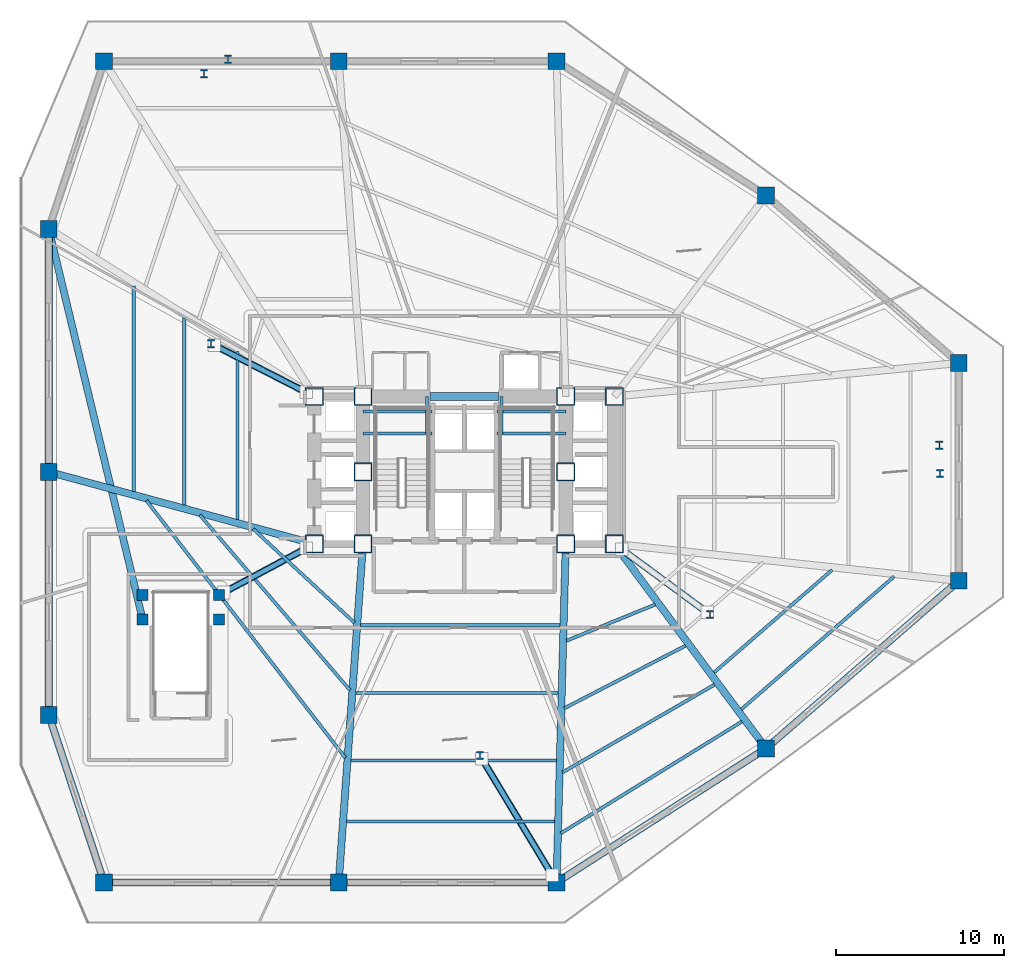
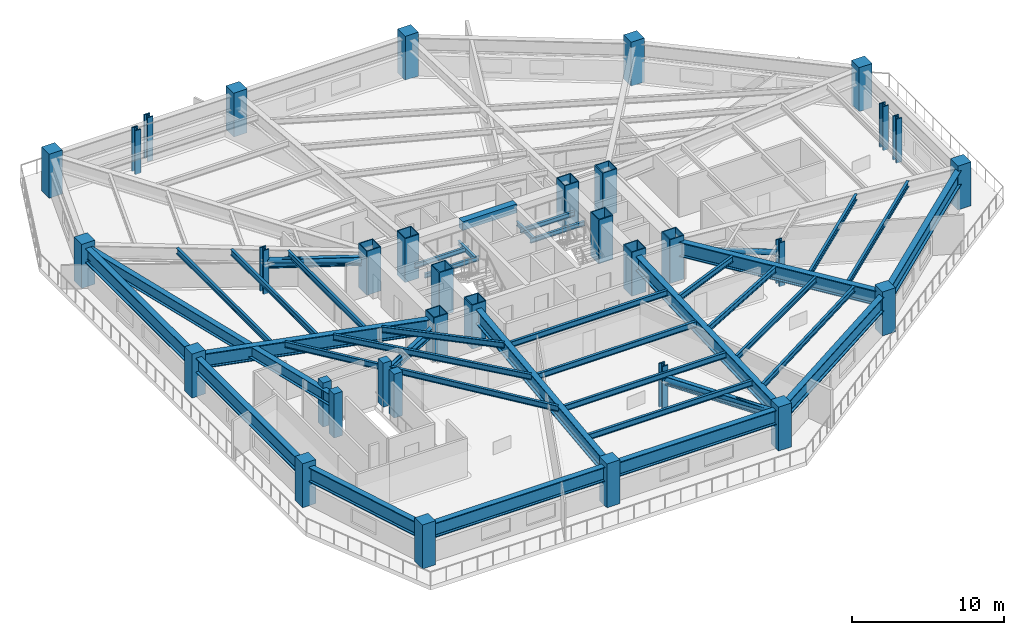
# One storey, part 1 of 10: 35 beams, 34 columns, 7 members.
"""IFC4 building model written with IfcOpenShell, lengths in metres."""

from ifc_helpers import new_model, si_unit, direction, frame, origin, origin_2d, place, context, subcontext, project, spatial, rectangle, hollow_rectangle, hollow_circle, i_section, extrude, material, material_profile, profile_set, type_object, element, save


model = new_model("IFC4")

# Units and contexts
model_context = context("Model", 3, precision=1e-05, world=origin(), true_north=direction((0.0, 1.0)))
body_context = subcontext(model_context, "Body", "Model", "MODEL_VIEW")
ifc_project = project(units=[si_unit("LENGTHUNIT", "METRE"), si_unit("AREAUNIT", "SQUARE_METRE"), si_unit("VOLUMEUNIT", "CUBIC_METRE"), si_unit("PLANEANGLEUNIT", "RADIAN"), si_unit("MASSUNIT", "GRAM", prefix="KILO")], contexts=[model_context])

# Site, building, storey
site_placement = place(None, origin())
site = spatial("IfcSite", under=ifc_project, at=site_placement, CompositionType="ELEMENT")
building_placement = place(site_placement, origin())
building = spatial("IfcBuilding", under=site, at=building_placement, Name="Rocaltana Carrier Exchange", CompositionType="ELEMENT")
storey_placement = place(building_placement, frame((0.0, 0.0, 15.360107421875)))
storey = spatial("IfcBuildingStorey", under=building, at=storey_placement, Name="L05", CompositionType="ELEMENT", Elevation=15.360107421875)

# Columns
ifc_material_1 = material(Name="Steel S460", Category="steel")
ifc_material_profile_1 = material_profile(ifc_material_1, hollow_rectangle(XDim=1.10009765625, YDim=1.10009765625, WallThickness=0.070068359375, InnerFilletRadius=0.02001953125, OuterFilletRadius=0.0400390625, at=origin_2d()), Name="BOX1100X1100X70")
ifc_profile_set_1 = profile_set([ifc_material_profile_1], Name="Steel S460")
column_type_1 = type_object("IfcColumnType", Name="Core Mega-Column BOX1100", PredefinedType="COLUMN", material=ifc_profile_set_1)
for number, where, z_axis, x_axis, name in (
    (1, (-6.050048828125, 4.5, 0.0), (0.0, 0.0, 1.0), (1.0, 0.0, 0.0), "L05 Core Mega-Column MC1"),
    (2, (6.050048828125, 4.5, 0.0), (0.0, 0.0, 1.0), (1.0, 0.0, 0.0), "L05 Core Mega-Column MC2"),
    (3, (-6.050048828125, 0.0, 0.0), (0.0, 0.0, 1.0), (1.0, 0.0, 0.0), "L05 Core Mega-Column MC3"),
    (4, (6.050048828125, 0.0, 0.0), (0.0, 0.0, 1.0), (1.0, 0.0, 0.0), "L05 Core Mega-Column MC4"),
    (5, (-6.050048828125, -4.300048828125, 0.0), (0.0, 0.0, 1.0), (1.0, 0.0, 0.0), "L05 Core Mega-Column MC5"),
    (6, (6.050048828125, -4.300048828125, 0.0), (0.0, 0.0, 1.0), (1.0, 0.0, 0.0), "L05 Core Mega-Column MC6"),
    (7, (-8.949951171875, 4.5, 0.0), (0.0, 0.0, 1.0), (1.0, 0.0, 0.0), "L05 West Core Column WC1"),
    (8, (-8.949951171875, -4.300048828125, 0.0), (0.0, 0.0, 1.0), (1.0, 0.0, 0.0), "L05 West Core Column WC2"),
    (9, (8.949951171875, 4.5, 0.0), (0.0, 0.0, 1.0), (1.0, 0.0, 0.0), "L05 East Core Column EC1"),
    (10, (8.949951171875, -4.300048828125, 0.0), (0.0, 0.0, 1.0), (1.0, 0.0, 0.0), "L05 East Core Column EC2"),
):
    element("IfcColumn", number, at=place(storey_placement, frame(where, z_axis=z_axis, x_axis=x_axis)), inside=storey, type_object=column_type_1, Name=name, PredefinedType="COLUMN", context=body_context, shape_type="SweptSolid", body=[
        extrude(hollow_rectangle(XDim=1.10009765625, YDim=1.10009765625, WallThickness=0.070068359375, InnerFilletRadius=0.02001953125, OuterFilletRadius=0.0400390625, at=origin_2d()), origin(), (0.0, 0.0, 1.0), 3.519775390625),
    ])
ifc_material_2 = material(Name="Steel S460", Category="steel")
ifc_material_profile_2 = material_profile(ifc_material_2, i_section(OverallWidth=0.431884765625, OverallDepth=0.498046875, WebThickness=0.0556640625, FlangeThickness=0.0888671875, FilletRadius=0.02490234375, at=origin_2d()), Name="W14X500")
ifc_profile_set_2 = profile_set([ifc_material_profile_2], Name="Steel S460")
column_type_2 = type_object("IfcColumnType", Name="Perimeter Column W14X500", PredefinedType="COLUMN", material=ifc_profile_set_2)
for number, where, z_axis, x_axis, name in (
    (11, (28.340576171875, 1.5849609375, 0.0), (0.0, 0.0, 1.0), (1.0, 0.0, 0.0), "L05 Podium Tower Mega-Column PT01"),
    (12, (-14.106201171875, 24.631591796875, 0.0), (0.0, 0.0, 1.0), (1.0, 0.0, 0.0), "L05 Podium Tower Mega-Column PT04"),
    (13, (-15.54296875, 23.751220703125, 0.0), (0.0, 0.0, 1.0), (1.0, 0.0, 0.0), "L05 Podium Tower Mega-Column PT05"),
    (14, (-15.121337890625, 7.65673828125, 0.0), (0.0, 0.0, 1.0), (1.0, 0.0, 0.0), "L05 Podium Tower Mega-Column PT06"),
    (15, (0.9296875, -16.923828125, 0.0), (0.0, 0.0, 1.0), (1.0, 0.0, 0.0), "L05 Podium Tower Mega-Column PT10"),
    (16, (14.6572265625, -8.51171875, 0.0), (0.0, 0.0, 1.0), (1.0, 0.0, 0.0), "L05 Podium Tower Mega-Column PT11"),
    (17, (28.384765625, -0.099609375, 0.0), (0.0, 0.0, 1.0), (1.0, 0.0, 0.0), "L05 Podium Tower Mega-Column PT12"),
):
    element("IfcColumn", number, at=place(storey_placement, frame(where, z_axis=z_axis, x_axis=x_axis)), inside=storey, type_object=column_type_2, Name=name, PredefinedType="COLUMN", context=body_context, shape_type="SweptSolid", body=[
        extrude(i_section(OverallWidth=0.431884765625, OverallDepth=0.498046875, WebThickness=0.0556640625, FlangeThickness=0.0888671875, FilletRadius=0.02490234375, at=origin_2d()), origin(), (0.0, 0.0, 1.0), 3.519775390625),
    ])
ifc_material_3 = material(Name="Concrete C60/75", Category="concrete")
ifc_material_profile_3 = material_profile(ifc_material_3, rectangle(XDim=1.0, YDim=1.0, at=origin_2d()), Name="RC-COL-1000X1000")
ifc_profile_set_3 = profile_set([ifc_material_profile_3], Name="Concrete C60/75")
column_type_3 = type_object("IfcColumnType", Name="Podium RC Column 1000", PredefinedType="COLUMN", material=ifc_profile_set_3)
for number, where, z_axis, x_axis, name in (
    (18, (-21.5, -24.5, 0.0), (0.0, 0.0, 1.0), (1.0, 0.0, 0.0), "L05 Podium Mega-Column PC01"),
    (19, (-7.5, -24.5, 0.0), (0.0, 0.0, 1.0), (1.0, 0.0, 0.0), "L05 Podium Mega-Column PC02"),
    (20, (5.5, -24.5, 0.0), (0.0, 0.0, 1.0), (1.0, 0.0, 0.0), "L05 Podium Mega-Column PC03"),
    (21, (18.0, -16.5, 0.0), (0.0, 0.0, 1.0), (1.0, 0.0, 0.0), "L05 Podium Mega-Column PC04"),
    (22, (29.5, -6.5, 0.0), (0.0, 0.0, 1.0), (1.0, 0.0, 0.0), "L05 Podium Mega-Column PC05"),
    (23, (29.5, 6.5, 0.0), (0.0, 0.0, 1.0), (1.0, 0.0, 0.0), "L05 Podium Mega-Column PC06"),
    (24, (18.0, 16.5, 0.0), (0.0, 0.0, 1.0), (1.0, 0.0, 0.0), "L05 Podium Mega-Column PC07"),
    (25, (5.5, 24.5, 0.0), (0.0, 0.0, 1.0), (1.0, 0.0, 0.0), "L05 Podium Mega-Column PC08"),
    (26, (-7.5, 24.5, 0.0), (0.0, 0.0, 1.0), (1.0, 0.0, 0.0), "L05 Podium Mega-Column PC09"),
    (27, (-21.5, 24.5, 0.0), (0.0, 0.0, 1.0), (1.0, 0.0, 0.0), "L05 Podium Mega-Column PC10"),
    (28, (-24.800048828125, 14.5, 0.0), (0.0, 0.0, 1.0), (1.0, 0.0, 0.0), "L05 Podium Mega-Column PC11"),
    (29, (-24.800048828125, 0.0, 0.0), (0.0, 0.0, 1.0), (1.0, 0.0, 0.0), "L05 Podium Mega-Column PC13"),
    (30, (-24.800048828125, -14.5, 0.0), (0.0, 0.0, 1.0), (1.0, 0.0, 0.0), "L05 Podium Mega-Column PC12"),
):
    element("IfcColumn", number, at=place(storey_placement, frame(where, z_axis=z_axis, x_axis=x_axis)), inside=storey, type_object=column_type_3, Name=name, PredefinedType="COLUMN", context=body_context, shape_type="SweptSolid", body=[
        extrude(rectangle(XDim=1.0, YDim=1.0, at=origin_2d()), origin(), (0.0, 0.0, 1.0), 3.519775390625),
    ])
ifc_material_4 = material(Name="Concrete C50/60", Category="concrete")
ifc_material_profile_4 = material_profile(ifc_material_4, rectangle(XDim=0.64990234375, YDim=0.64990234375, at=origin_2d()), Name="RC-COL-650X650")
ifc_profile_set_4 = profile_set([ifc_material_profile_4], Name="Concrete C50/60")
column_type_4 = type_object("IfcColumnType", Name="Stair Shaft RC Column 650", PredefinedType="COLUMN", material=ifc_profile_set_4)
for number, where, z_axis, x_axis, name in (
    (31, (-19.199951171875, -8.800048828125, 0.0), (0.0, 0.0, 1.0), (1.0, 0.0, 0.0), "L05 Stair Shaft Column SC3A"),
    (32, (-14.64990234375, -8.800048828125, 0.0), (0.0, 0.0, 1.0), (1.0, 0.0, 0.0), "L05 Stair Shaft Column SC3B"),
    (33, (-19.199951171875, -7.35009765625, 0.0), (0.0, 0.0, 1.0), (1.0, 0.0, 0.0), "L05 Stair Shaft Column SC3C"),
    (34, (-14.64990234375, -7.35009765625, 0.0), (0.0, 0.0, 1.0), (1.0, 0.0, 0.0), "L05 Stair Shaft Column SC3D"),
):
    element("IfcColumn", number, at=place(storey_placement, frame(where, z_axis=z_axis, x_axis=x_axis)), inside=storey, type_object=column_type_4, Name=name, PredefinedType="COLUMN", context=body_context, shape_type="SweptSolid", body=[
        extrude(rectangle(XDim=0.64990234375, YDim=0.64990234375, at=origin_2d()), origin(), (0.0, 0.0, 1.0), 3.519775390625),
    ])

# Beams
ifc_material_5 = material(Name="Concrete C60/75", Category="concrete")
ifc_material_profile_5 = material_profile(ifc_material_5, rectangle(XDim=0.5, YDim=0.699951171875, at=origin_2d()), Name="RC-BM-500X700")
ifc_profile_set_5 = profile_set([ifc_material_profile_5], Name="Concrete C60/75")
beam_type_1 = type_object("IfcBeamType", Name="Core Coupling Lintel 500x700", PredefinedType="LINTEL", material=ifc_profile_set_5)
beam_1_placement = place(storey_placement, frame((-2.050048828125, 4.5, 2.747802734375), z_axis=(1.0, 0.0, 0.0), x_axis=(0.0, 1.0, 0.0)))
element("IfcBeam", 35, at=beam_1_placement, inside=storey, type_object=beam_type_1, Name="L05 Core Coupling Lintel CL-N", PredefinedType="LINTEL", context=body_context, shape_type="SweptSolid", body=[
    extrude(rectangle(XDim=0.5, YDim=0.699951171875, at=origin_2d()), origin(), (0.0, 0.0, 1.0), 4.10009765625),
])
ifc_material_6 = material(Name="Steel S355", Category="steel")
ifc_material_profile_6 = material_profile(ifc_material_6, i_section(OverallWidth=0.172119140625, OverallDepth=0.35791015625, WebThickness=0.0078125, FlangeThickness=0.01318359375, FilletRadius=0.011962890625, at=origin_2d()), Name="W14X38")
ifc_profile_set_6 = profile_set([ifc_material_profile_6], Name="Steel S355")
beam_type_2 = type_object("IfcBeamType", Name="Floor Joist W14X38", PredefinedType="JOIST", material=ifc_profile_set_6)
for number, where, z_axis, x_axis, name in (
    (36, (-6.050048828125, 2.300048828125, 1.380859375), (1.0, 0.0, 0.0), (0.0, 1.0, 0.0), "L05 ST-1 Landing Carrier 1"),
    (37, (1.93994140625, 2.300048828125, 1.380859375), (1.0, 0.0, 0.0), (0.0, 1.0, 0.0), "L05 ST-2 Landing Carrier 1"),
    (38, (-6.050048828125, 3.60009765625, 1.380859375), (1.0, 0.0, 0.0), (0.0, 1.0, 0.0), "L05 ST-1 Landing Carrier 2"),
    (39, (1.93994140625, 3.60009765625, 1.380859375), (1.0, 0.0, 0.0), (0.0, 1.0, 0.0), "L05 ST-2 Landing Carrier 2"),
):
    element("IfcBeam", number, at=place(storey_placement, frame(where, z_axis=z_axis, x_axis=x_axis)), inside=storey, type_object=beam_type_2, Name=name, PredefinedType="JOIST", context=body_context, shape_type="SweptSolid", body=[
        extrude(i_section(OverallWidth=0.172119140625, OverallDepth=0.35791015625, WebThickness=0.0078125, FlangeThickness=0.01318359375, FilletRadius=0.011962890625, at=origin_2d()), origin(), (0.0, 0.0, 1.0), 4.110107421875),
    ])
for number, where, z_axis, x_axis, name in (
    (40, (-2.219970703125, 2.300048828125, 1.380859375), (0.0, 1.0, 0.0), (-1.0, 0.0, 0.0), "L05 ST-1 Landing Cross Trimmer"),
    (41, (2.219970703125, 2.300048828125, 1.380859375), (0.0, 1.0, 0.0), (-1.0, 0.0, 0.0), "L05 ST-2 Landing Cross Trimmer"),
):
    element("IfcBeam", number, at=place(storey_placement, frame(where, z_axis=z_axis, x_axis=x_axis)), inside=storey, type_object=beam_type_2, Name=name, PredefinedType="JOIST", context=body_context, shape_type="SweptSolid", body=[
        extrude(i_section(OverallWidth=0.172119140625, OverallDepth=0.35791015625, WebThickness=0.0078125, FlangeThickness=0.01318359375, FilletRadius=0.011962890625, at=origin_2d()), origin(), (0.0, 0.0, 1.0), 2.199951171875),
    ])
ifc_material_7 = material(Name="Steel S355", Category="steel")
ifc_material_profile_7 = material_profile(ifc_material_7, i_section(OverallWidth=0.193115234375, OverallDepth=0.466064453125, WebThickness=0.011474609375, FlangeThickness=0.01904296875, FilletRadius=0.013916015625, at=origin_2d()), Name="W18X65")
ifc_profile_set_7 = profile_set([ifc_material_profile_7], Name="Steel S355")
beam_type_3 = type_object("IfcBeamType", Name="Floor Joist W18X65", PredefinedType="JOIST", material=ifc_profile_set_7)
beam_2_placement = place(storey_placement, frame((-6.18896484375, -9.14794921875, 2.864990234375), z_axis=(1.0, 0.0, 0.0), x_axis=(0.0, 1.0, 0.0)))
element("IfcBeam", 42, at=beam_2_placement, inside=storey, type_object=beam_type_3, Name="FJ-POD-01-1-L05", PredefinedType="JOIST", context=body_context, shape_type="SweptSolid", body=[
    extrude(i_section(OverallWidth=0.193115234375, OverallDepth=0.466064453125, WebThickness=0.011474609375, FlangeThickness=0.01904296875, FilletRadius=0.013916015625, at=origin_2d()), origin(), (0.0, 0.0, 1.0), 11.89794921875),
])
beam_3_placement = place(storey_placement, frame((-6.47900390625, -13.18798828125, 2.864990234375), z_axis=(1.0, 0.0, 0.0), x_axis=(0.0, 1.0, 0.0)))
element("IfcBeam", 43, at=beam_3_placement, inside=storey, type_object=beam_type_3, Name="FJ-POD-01-2-L05", PredefinedType="JOIST", context=body_context, shape_type="SweptSolid", body=[
    extrude(i_section(OverallWidth=0.193115234375, OverallDepth=0.466064453125, WebThickness=0.011474609375, FlangeThickness=0.01904296875, FilletRadius=0.013916015625, at=origin_2d()), origin(), (0.0, 0.0, 1.0), 12.078125),
])
beam_4_placement = place(storey_placement, frame((-6.76904296875, -17.22802734375, 2.864990234375), z_axis=(1.0, 0.0, 0.0), x_axis=(0.0, 1.0, 0.0)))
element("IfcBeam", 44, at=beam_4_placement, inside=storey, type_object=beam_type_3, Name="FJ-POD-01-3-L05", PredefinedType="JOIST", context=body_context, shape_type="SweptSolid", body=[
    extrude(i_section(OverallWidth=0.193115234375, OverallDepth=0.466064453125, WebThickness=0.011474609375, FlangeThickness=0.01904296875, FilletRadius=0.013916015625, at=origin_2d()), origin(), (0.0, 0.0, 1.0), 12.258056640625),
])
beam_5_placement = place(storey_placement, frame((-7.030029296875, -20.864013671875, 2.864990234375), z_axis=(1.0, 0.0, 0.0), x_axis=(0.0, 1.0, 0.0)))
element("IfcBeam", 45, at=beam_5_placement, inside=storey, type_object=beam_type_3, Name="FJ-POD-01-4-L05", PredefinedType="JOIST", context=body_context, shape_type="SweptSolid", body=[
    extrude(i_section(OverallWidth=0.193115234375, OverallDepth=0.466064453125, WebThickness=0.011474609375, FlangeThickness=0.01904296875, FilletRadius=0.013916015625, at=origin_2d()), origin(), (0.0, 0.0, 1.0), 12.419921875),
])
beam_6_placement = place(storey_placement, frame((6.083984375, -10.0791015625, 2.864990234375), z_axis=(0.925846424936, 0.377899983373, 0.0), x_axis=(-0.377899983373, 0.925846424936, 0.0)))
element("IfcBeam", 46, at=beam_6_placement, inside=storey, type_object=beam_type_3, Name="FJ-POD-02-1-L05", PredefinedType="JOIST", context=body_context, shape_type="SweptSolid", body=[
    extrude(i_section(OverallWidth=0.193115234375, OverallDepth=0.466064453125, WebThickness=0.011474609375, FlangeThickness=0.01904296875, FilletRadius=0.013916015625, at=origin_2d()), origin(), (0.0, 0.0, 1.0), 5.721435546875),
])
beam_7_placement = place(storey_placement, frame((5.96630859375, -14.102294921875, 2.864990234375), z_axis=(0.888838301585, 0.458220987773, 0.0), x_axis=(-0.458220987773, 0.888838301585, 0.0)))
element("IfcBeam", 47, at=beam_7_placement, inside=storey, type_object=beam_type_3, Name="FJ-POD-02-2-L05", PredefinedType="JOIST", context=body_context, shape_type="SweptSolid", body=[
    extrude(i_section(OverallWidth=0.193115234375, OverallDepth=0.466064453125, WebThickness=0.011474609375, FlangeThickness=0.01904296875, FilletRadius=0.013916015625, at=origin_2d()), origin(), (0.0, 0.0, 1.0), 8.136962890625),
])
beam_8_placement = place(storey_placement, frame((5.85693359375, -17.931396484375, 2.864990234375), z_axis=(0.866165781308, 0.499756780135, 0.0), x_axis=(-0.499756780135, 0.866165781308, 0.0)))
element("IfcBeam", 48, at=beam_8_placement, inside=storey, type_object=beam_type_3, Name="FJ-POD-02-3-L05", PredefinedType="JOIST", context=body_context, shape_type="SweptSolid", body=[
    extrude(i_section(OverallWidth=0.193115234375, OverallDepth=0.466064453125, WebThickness=0.011474609375, FlangeThickness=0.01904296875, FilletRadius=0.013916015625, at=origin_2d()), origin(), (0.0, 0.0, 1.0), 10.467041015625),
])
beam_9_placement = place(storey_placement, frame((5.7548828125, -21.562255859375, 2.864990234375), z_axis=(0.851154536893, 0.524915187746, 0.0), x_axis=(-0.524915187746, 0.851154536893, 0.0)))
element("IfcBeam", 49, at=beam_9_placement, inside=storey, type_object=beam_type_3, Name="FJ-POD-02-4-L05", PredefinedType="JOIST", context=body_context, shape_type="SweptSolid", body=[
    extrude(i_section(OverallWidth=0.193115234375, OverallDepth=0.466064453125, WebThickness=0.011474609375, FlangeThickness=0.01904296875, FilletRadius=0.013916015625, at=origin_2d()), origin(), (0.0, 0.0, 1.0), 12.68896484375),
])
beam_10_placement = place(storey_placement, frame((14.899658203125, -11.970947265625, 2.864990234375), z_axis=(0.754609463214, 0.656174182689, 0.0), x_axis=(-0.656174182689, 0.754609463214, 0.0)))
element("IfcBeam", 50, at=beam_10_placement, inside=storey, type_object=beam_type_3, Name="FJ-POD-03-3-L05", PredefinedType="JOIST", context=body_context, shape_type="SweptSolid", body=[
    extrude(i_section(OverallWidth=0.193115234375, OverallDepth=0.466064453125, WebThickness=0.011474609375, FlangeThickness=0.01904296875, FilletRadius=0.013916015625, at=origin_2d()), origin(), (0.0, 0.0, 1.0), 9.33544921875),
])
beam_11_placement = place(storey_placement, frame((16.52880859375, -14.1669921875, 2.864990234375), z_axis=(0.754600300347, 0.656184719965, 0.0), x_axis=(-0.656184719965, 0.754600300347, 0.0)))
element("IfcBeam", 51, at=beam_11_placement, inside=storey, type_object=beam_type_3, Name="FJ-POD-03-4-L05", PredefinedType="JOIST", context=body_context, shape_type="SweptSolid", body=[
    extrude(i_section(OverallWidth=0.193115234375, OverallDepth=0.466064453125, WebThickness=0.011474609375, FlangeThickness=0.01904296875, FilletRadius=0.013916015625, at=origin_2d()), origin(), (0.0, 0.0, 1.0), 12.07861328125),
])
beam_12_placement = place(storey_placement, frame((-13.54638671875, 7.19091796875, 2.864990234375), z_axis=(0.0, -1.0, 0.0), x_axis=(1.0, 0.0, 0.0)))
element("IfcBeam", 52, at=beam_12_placement, inside=storey, type_object=beam_type_3, Name="FJ-POD-08-1-L05", PredefinedType="JOIST", context=body_context, shape_type="SweptSolid", body=[
    extrude(i_section(OverallWidth=0.193115234375, OverallDepth=0.466064453125, WebThickness=0.011474609375, FlangeThickness=0.01904296875, FilletRadius=0.013916015625, at=origin_2d()), origin(), (0.0, 0.0, 1.0), 10.034912109375),
])
beam_13_placement = place(storey_placement, frame((-16.716552734375, 9.19091796875, 2.864990234375), z_axis=(0.0, -1.0, 0.0), x_axis=(1.0, 0.0, 0.0)))
element("IfcBeam", 53, at=beam_13_placement, inside=storey, type_object=beam_type_3, Name="FJ-POD-08-2-L05", PredefinedType="JOIST", context=body_context, shape_type="SweptSolid", body=[
    extrude(i_section(OverallWidth=0.193115234375, OverallDepth=0.466064453125, WebThickness=0.011474609375, FlangeThickness=0.01904296875, FilletRadius=0.013916015625, at=origin_2d()), origin(), (0.0, 0.0, 1.0), 11.1748046875),
])
beam_14_placement = place(storey_placement, frame((-19.72802734375, 11.091064453125, 2.864990234375), z_axis=(0.0, -1.0, 0.0), x_axis=(1.0, 0.0, 0.0)))
element("IfcBeam", 54, at=beam_14_placement, inside=storey, type_object=beam_type_3, Name="FJ-POD-08-3-L05", PredefinedType="JOIST", context=body_context, shape_type="SweptSolid", body=[
    extrude(i_section(OverallWidth=0.193115234375, OverallDepth=0.466064453125, WebThickness=0.011474609375, FlangeThickness=0.01904296875, FilletRadius=0.013916015625, at=origin_2d()), origin(), (0.0, 0.0, 1.0), 12.258056640625),
])
beam_15_placement = place(storey_placement, frame((-12.6005859375, -3.409912109375, 2.864990234375), z_axis=(0.734051071701, -0.679094267487, 0.0), x_axis=(0.679094267487, 0.734051071701, 0.0)))
element("IfcBeam", 55, at=beam_15_placement, inside=storey, type_object=beam_type_3, Name="FJ-POD-09-1-L05", PredefinedType="JOIST", context=body_context, shape_type="SweptSolid", body=[
    extrude(i_section(OverallWidth=0.193115234375, OverallDepth=0.466064453125, WebThickness=0.011474609375, FlangeThickness=0.01904296875, FilletRadius=0.013916015625, at=origin_2d()), origin(), (0.0, 0.0, 1.0), 8.24072265625),
])
beam_16_placement = place(storey_placement, frame((-15.7880859375, -2.566650390625, 2.864990234375), z_axis=(0.650629375969, -0.759395427381, 0.0), x_axis=(0.759395427381, 0.650629375969, 0.0)))
element("IfcBeam", 56, at=beam_16_placement, inside=storey, type_object=beam_type_3, Name="FJ-POD-09-2-L05", PredefinedType="JOIST", context=body_context, shape_type="SweptSolid", body=[
    extrude(i_section(OverallWidth=0.193115234375, OverallDepth=0.466064453125, WebThickness=0.011474609375, FlangeThickness=0.01904296875, FilletRadius=0.013916015625, at=origin_2d()), origin(), (0.0, 0.0, 1.0), 13.777587890625),
])
beam_17_placement = place(storey_placement, frame((-18.96630859375, -1.71337890625, 2.864990234375), z_axis=(0.611444635417, -0.791287215757, 0.0), x_axis=(0.791287215757, 0.611444635417, 0.0)))
element("IfcBeam", 57, at=beam_17_placement, inside=storey, type_object=beam_type_3, Name="FJ-POD-09-3-L05", PredefinedType="JOIST", context=body_context, shape_type="SweptSolid", body=[
    extrude(i_section(OverallWidth=0.193115234375, OverallDepth=0.466064453125, WebThickness=0.011474609375, FlangeThickness=0.01904296875, FilletRadius=0.013916015625, at=origin_2d()), origin(), (0.0, 0.0, 1.0), 19.397705078125),
])
ifc_material_8 = material(Name="Steel S355", Category="steel")
ifc_material_profile_8 = material_profile(ifc_material_8, i_section(OverallWidth=0.41796875, OverallDepth=0.927001953125, WebThickness=0.019287109375, FlangeThickness=0.031982421875, FilletRadius=0.02197265625, at=origin_2d()), Name="W36X231")
ifc_profile_set_8 = profile_set([ifc_material_profile_8], Name="Steel S355")
beam_type_4 = type_object("IfcBeamType", Name="Heavy Floor Girder W36X231", PredefinedType="BEAM", material=ifc_profile_set_8)
beam_18_placement = place(storey_placement, frame((-24.800048828125, 14.5, 2.63427734375), z_axis=(0.233691988748, -0.972310677919, 0.0), x_axis=(0.972310677919, 0.233691988748, 0.0)))
element("IfcBeam", 58, at=beam_18_placement, inside=storey, type_object=beam_type_4, Name="BM-PODG-ST3TRIM-L05", PredefinedType="BEAM", context=body_context, shape_type="SweptSolid", body=[
    extrude(i_section(OverallWidth=0.41796875, OverallDepth=0.927001953125, WebThickness=0.019287109375, FlangeThickness=0.031982421875, FilletRadius=0.02197265625, at=origin_2d()), origin(), (0.0, 0.0, 1.0), 23.963623046875),
])
ifc_material_9 = material(Name="Steel S460", Category="steel")
ifc_material_profile_9 = material_profile(ifc_material_9, i_section(OverallWidth=0.429931640625, OverallDepth=1.159912109375, WebThickness=0.035888671875, FlangeThickness=0.06201171875, FilletRadius=0.02490234375, at=origin_2d()), Name="W44X468")
ifc_profile_set_9 = profile_set([ifc_material_profile_9], Name="Steel S460")
beam_type_5 = type_object("IfcBeamType", Name="Mega Transfer Girder W44X468", PredefinedType="USERDEFINED", material=ifc_profile_set_9)
beam_19_placement = place(storey_placement, frame((-21.008056640625, -24.5, 2.517822265625), z_axis=(1.0, 0.0, 0.0), x_axis=(0.0, 1.0, 0.0)))
element("IfcBeam", 59, at=beam_19_placement, inside=storey, type_object=beam_type_5, Name="BM-PODR-01-L05", ObjectType="TRANSFER GIRDER", PredefinedType="USERDEFINED", context=body_context, shape_type="SweptSolid", body=[
    extrude(i_section(OverallWidth=0.429931640625, OverallDepth=1.159912109375, WebThickness=0.035888671875, FlangeThickness=0.06201171875, FilletRadius=0.02490234375, at=origin_2d()), origin(), (0.0, 0.0, 1.0), 13.01611328125),
])
beam_20_placement = place(storey_placement, frame((-7.008056640625, -24.5, 2.517822265625), z_axis=(1.0, 0.0, 0.0), x_axis=(0.0, 1.0, 0.0)))
element("IfcBeam", 60, at=beam_20_placement, inside=storey, type_object=beam_type_5, Name="BM-PODR-02-L05", ObjectType="TRANSFER GIRDER", PredefinedType="USERDEFINED", context=body_context, shape_type="SweptSolid", body=[
    extrude(i_section(OverallWidth=0.429931640625, OverallDepth=1.159912109375, WebThickness=0.035888671875, FlangeThickness=0.06201171875, FilletRadius=0.02490234375, at=origin_2d()), origin(), (0.0, 0.0, 1.0), 12.01611328125),
])
beam_21_placement = place(storey_placement, frame((5.914306640625, -24.23486328125, 2.517822265625), z_axis=(0.842270120768, 0.539055696252, 0.0), x_axis=(-0.539055696252, 0.842270120768, 0.0)))
element("IfcBeam", 61, at=beam_21_placement, inside=storey, type_object=beam_type_5, Name="BM-PODR-03-L05", ObjectType="TRANSFER GIRDER", PredefinedType="USERDEFINED", context=body_context, shape_type="SweptSolid", body=[
    extrude(i_section(OverallWidth=0.429931640625, OverallDepth=1.159912109375, WebThickness=0.035888671875, FlangeThickness=0.06201171875, FilletRadius=0.02490234375, at=origin_2d()), origin(), (0.0, 0.0, 1.0), 13.857177734375),
])
beam_22_placement = place(storey_placement, frame((18.371337890625, -16.17724609375, 2.517822265625), z_axis=(0.754595198685, 0.656190586737, 0.0), x_axis=(-0.656190586737, 0.754595198685, 0.0)))
element("IfcBeam", 62, at=beam_22_placement, inside=storey, type_object=beam_type_5, Name="BM-PODR-04-L05", ObjectType="TRANSFER GIRDER", PredefinedType="USERDEFINED", context=body_context, shape_type="SweptSolid", body=[
    extrude(i_section(OverallWidth=0.429931640625, OverallDepth=1.159912109375, WebThickness=0.035888671875, FlangeThickness=0.06201171875, FilletRadius=0.02490234375, at=origin_2d()), origin(), (0.0, 0.0, 1.0), 14.255859375),
])
for number, where, z_axis, x_axis, name in (
    (63, (-24.800048828125, 14.008056640625, 2.517822265625), (0.0, -1.0, 0.0), (1.0, 0.0, 0.0), "BM-PODR-11-L05"),
    (64, (-24.800048828125, -0.491943359375, 2.517822265625), (0.0, -1.0, 0.0), (1.0, 0.0, 0.0), "BM-PODR-12-L05"),
):
    element("IfcBeam", number, at=place(storey_placement, frame(where, z_axis=z_axis, x_axis=x_axis)), inside=storey, type_object=beam_type_5, Name=name, ObjectType="TRANSFER GIRDER", PredefinedType="USERDEFINED", context=body_context, shape_type="SweptSolid", body=[
        extrude(i_section(OverallWidth=0.429931640625, OverallDepth=1.159912109375, WebThickness=0.035888671875, FlangeThickness=0.06201171875, FilletRadius=0.02490234375, at=origin_2d()), origin(), (0.0, 0.0, 1.0), 13.51611328125),
    ])
beam_23_placement = place(storey_placement, frame((-24.645751953125, -14.96728515625, 2.517822265625), z_axis=(0.313364538918, -0.94963291105, 0.0), x_axis=(0.94963291105, 0.313364538918, 0.0)))
element("IfcBeam", 65, at=beam_23_placement, inside=storey, type_object=beam_type_5, Name="BM-PODR-13-L05", ObjectType="TRANSFER GIRDER", PredefinedType="USERDEFINED", context=body_context, shape_type="SweptSolid", body=[
    extrude(i_section(OverallWidth=0.429931640625, OverallDepth=1.159912109375, WebThickness=0.035888671875, FlangeThickness=0.06201171875, FilletRadius=0.02490234375, at=origin_2d()), origin(), (0.0, 0.0, 1.0), 9.546142578125),
])

# Members
ifc_material_10 = material(Name="Steel S460", Category="steel")
ifc_material_profile_10 = material_profile(ifc_material_10, i_section(OverallWidth=0.300048828125, OverallDepth=0.699951171875, WebThickness=0.01708984375, FlangeThickness=0.031982421875, FilletRadius=0.027099609375, at=origin_2d()), Name="HEB700")
ifc_profile_set_10 = profile_set([ifc_material_profile_10], Name="Steel S460")
member_type_1 = type_object("IfcMemberType", Name="Mega-Truss Chord HEB700", PredefinedType="CHORD", material=ifc_profile_set_10)
member_1_placement = place(storey_placement, frame((-9.43603515625, 4.748779296875, 2.31982421875), z_axis=(-0.890284705246, 0.455404373722, 0.0), x_axis=(-0.455404373722, -0.890284705246, 0.0)))
element("IfcMember", 66, at=member_1_placement, inside=storey, type_object=member_type_1, Name="L05 Mega-Transfer Bottom Chord 1", PredefinedType="CHORD", context=body_context, shape_type="SweptSolid", body=[
    extrude(i_section(OverallWidth=0.300048828125, OverallDepth=0.699951171875, WebThickness=0.01708984375, FlangeThickness=0.031982421875, FilletRadius=0.027099609375, at=origin_2d()), origin(), (0.0, 0.0, 1.0), 6.173583984375),
])
member_2_placement = place(storey_placement, frame((-9.431396484375, -4.5576171875, 2.31982421875), z_axis=(-0.881715872382, -0.47178079697, 0.0), x_axis=(0.47178079697, -0.881715872382, 0.0)))
element("IfcMember", 67, at=member_2_placement, inside=storey, type_object=member_type_1, Name="L05 Mega-Transfer Bottom Chord 2", PredefinedType="CHORD", context=body_context, shape_type="SweptSolid", body=[
    extrude(i_section(OverallWidth=0.300048828125, OverallDepth=0.699951171875, WebThickness=0.01708984375, FlangeThickness=0.031982421875, FilletRadius=0.027099609375, at=origin_2d()), origin(), (0.0, 0.0, 1.0), 5.59765625),
])
member_3_placement = place(storey_placement, frame((1.03955078125, -17.10546875, 2.31982421875), z_axis=(0.516527729757, -0.856270462174, 0.0), x_axis=(0.856270462174, 0.516527729757, 0.0)))
element("IfcMember", 68, at=member_3_placement, inside=storey, type_object=member_type_1, Name="L05 Mega-Transfer Bottom Chord 4", PredefinedType="CHORD", context=body_context, shape_type="SweptSolid", body=[
    extrude(i_section(OverallWidth=0.300048828125, OverallDepth=0.699951171875, WebThickness=0.01708984375, FlangeThickness=0.031982421875, FilletRadius=0.027099609375, at=origin_2d()), origin(), (0.0, 0.0, 1.0), 8.1396484375),
])
ifc_material_11 = material(Name="Steel S460", Category="steel")
ifc_material_profile_11 = material_profile(ifc_material_11, hollow_circle(Radius=0.203125, WallThickness=0.01611328125, at=origin_2d()), Name="CHS406.4X16")
ifc_profile_set_11 = profile_set([ifc_material_profile_11], Name="Steel S460")
member_type_2 = type_object("IfcMemberType", Name="Mega-Truss Diagonal CHS406", PredefinedType="BRACE", material=ifc_profile_set_11)
member_4_placement = place(storey_placement, frame((-9.43603515625, 4.748779296875, 2.31982421875), z_axis=(-0.88967805319, 0.455094055014, 0.036910198627), x_axis=(-0.455404373722, -0.890284705246, 0.0)))
element("IfcMember", 69, at=member_4_placement, inside=storey, type_object=member_type_2, Name="L05 Mega-Transfer Truss Diagonal 1", PredefinedType="BRACE", context=body_context, shape_type="SweptSolid", body=[
    extrude(hollow_circle(Radius=0.203125, WallThickness=0.01611328125, at=origin_2d()), origin(), (0.0, 0.0, 1.0), 6.177978515625),
])
member_5_placement = place(storey_placement, frame((-9.431396484375, -4.5576171875, 2.31982421875), z_axis=(-0.88098520592, -0.471389838367, 0.040702422949), x_axis=(0.47178079697, -0.881715872382, 0.0)))
element("IfcMember", 70, at=member_5_placement, inside=storey, type_object=member_type_2, Name="L05 Mega-Transfer Truss Diagonal 2", PredefinedType="BRACE", context=body_context, shape_type="SweptSolid", body=[
    extrude(hollow_circle(Radius=0.203125, WallThickness=0.01611328125, at=origin_2d()), origin(), (0.0, 0.0, 1.0), 5.602294921875),
])
member_6_placement = place(storey_placement, frame((9.389404296875, -4.624267578125, 2.31982421875), z_axis=(0.804075676226, -0.593437659592, 0.035972921473), x_axis=(0.593822001973, 0.8045964392, 0.0)))
element("IfcMember", 71, at=member_6_placement, inside=storey, type_object=member_type_2, Name="L05 Mega-Transfer Truss Diagonal 3", PredefinedType="BRACE", context=body_context, shape_type="SweptSolid", body=[
    extrude(hollow_circle(Radius=0.203125, WallThickness=0.01611328125, at=origin_2d()), origin(), (0.0, 0.0, 1.0), 6.3388671875),
])
member_7_placement = place(storey_placement, frame((1.03955078125, -17.10546875, 2.31982421875), z_axis=(0.516325161024, -0.855934655184, 0.028003466721), x_axis=(0.856270462174, 0.516527729757, 0.0)))
element("IfcMember", 72, at=member_7_placement, inside=storey, type_object=member_type_2, Name="L05 Mega-Transfer Truss Diagonal 4", PredefinedType="BRACE", context=body_context, shape_type="SweptSolid", body=[
    extrude(hollow_circle(Radius=0.203125, WallThickness=0.01611328125, at=origin_2d()), origin(), (0.0, 0.0, 1.0), 8.142822265625),
])

# Beams
ifc_material_12 = material(Name="Steel S460", Category="steel")
ifc_material_profile_12 = material_profile(ifc_material_12, i_section(OverallWidth=0.429931640625, OverallDepth=1.159912109375, WebThickness=0.035888671875, FlangeThickness=0.06201171875, FilletRadius=0.02490234375, at=origin_2d()), Name="W44X468")
ifc_profile_set_12 = profile_set([ifc_material_profile_12], Name="Steel S460")
beam_type_6 = type_object("IfcBeamType", Name="Podium Transfer Girder W44X468", PredefinedType="USERDEFINED", material=ifc_profile_set_12)
beam_24_placement = place(storey_placement, frame((-6.0888671875, -4.840576171875, 2.517822265625), z_axis=(-0.071598236064, -0.997433552971, 0.0), x_axis=(0.997433552971, -0.071598236064, 0.0)))
element("IfcBeam", 73, at=beam_24_placement, inside=storey, type_object=beam_type_6, Name="BM-PODG-02-L05", ObjectType="TRANSFER GIRDER", PredefinedType="USERDEFINED", context=body_context, shape_type="SweptSolid", body=[
    extrude(i_section(OverallWidth=0.429931640625, OverallDepth=1.159912109375, WebThickness=0.035888671875, FlangeThickness=0.06201171875, FilletRadius=0.02490234375, at=origin_2d()), origin(), (0.0, 0.0, 1.0), 19.218017578125),
])
beam_25_placement = place(storey_placement, frame((6.03515625, -4.841796875, 2.517822265625), z_axis=(-0.027210769983, -0.999629718444, 0.0), x_axis=(0.999629718444, -0.027210769983, 0.0)))
element("IfcBeam", 74, at=beam_25_placement, inside=storey, type_object=beam_type_6, Name="BM-PODG-03-L05", ObjectType="TRANSFER GIRDER", PredefinedType="USERDEFINED", context=body_context, shape_type="SweptSolid", body=[
    extrude(i_section(OverallWidth=0.429931640625, OverallDepth=1.159912109375, WebThickness=0.035888671875, FlangeThickness=0.06201171875, FilletRadius=0.02490234375, at=origin_2d()), origin(), (0.0, 0.0, 1.0), 19.173583984375),
])
beam_26_placement = place(storey_placement, frame((9.27294921875, -4.7353515625, 2.517822265625), z_axis=(0.595769776536, -0.803155261059, 0.0), x_axis=(0.803155261059, 0.595769776536, 0.0)))
element("IfcBeam", 75, at=beam_26_placement, inside=storey, type_object=beam_type_6, Name="BM-PODG-04-L05", ObjectType="TRANSFER GIRDER", PredefinedType="USERDEFINED", context=body_context, shape_type="SweptSolid", body=[
    extrude(i_section(OverallWidth=0.429931640625, OverallDepth=1.159912109375, WebThickness=0.035888671875, FlangeThickness=0.06201171875, FilletRadius=0.02490234375, at=origin_2d()), origin(), (0.0, 0.0, 1.0), 14.15625),
])
beam_27_placement = place(storey_placement, frame((-9.47314453125, -4.158203125, 2.517822265625), z_axis=(-0.965113696216, 0.261831154327, 0.0), x_axis=(-0.261831154327, -0.965113696216, 0.0)))
element("IfcBeam", 76, at=beam_27_placement, inside=storey, type_object=beam_type_6, Name="BM-PODG-12-L05", ObjectType="TRANSFER GIRDER", PredefinedType="USERDEFINED", context=body_context, shape_type="SweptSolid", body=[
    extrude(i_section(OverallWidth=0.429931640625, OverallDepth=1.159912109375, WebThickness=0.035888671875, FlangeThickness=0.06201171875, FilletRadius=0.02490234375, at=origin_2d()), origin(), (0.0, 0.0, 1.0), 15.388916015625),
])

save(model, "model.ifc")
